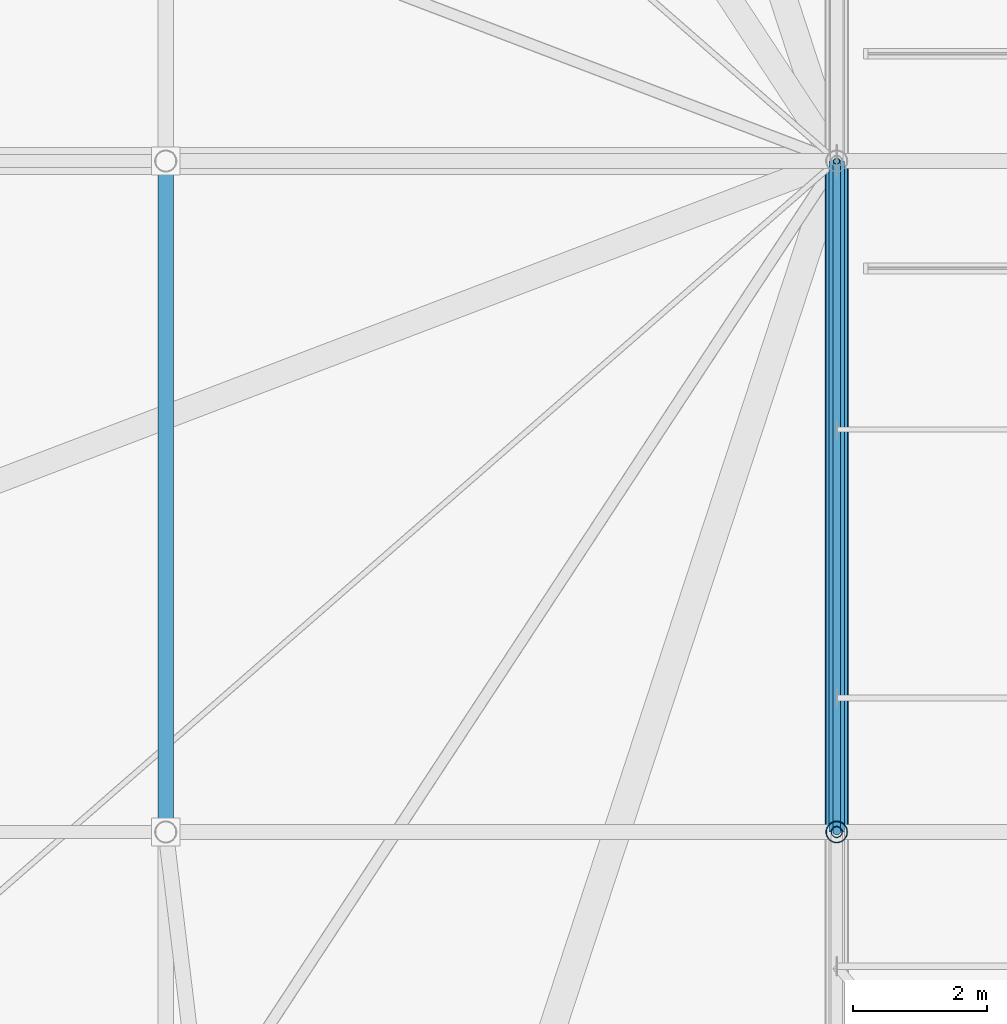
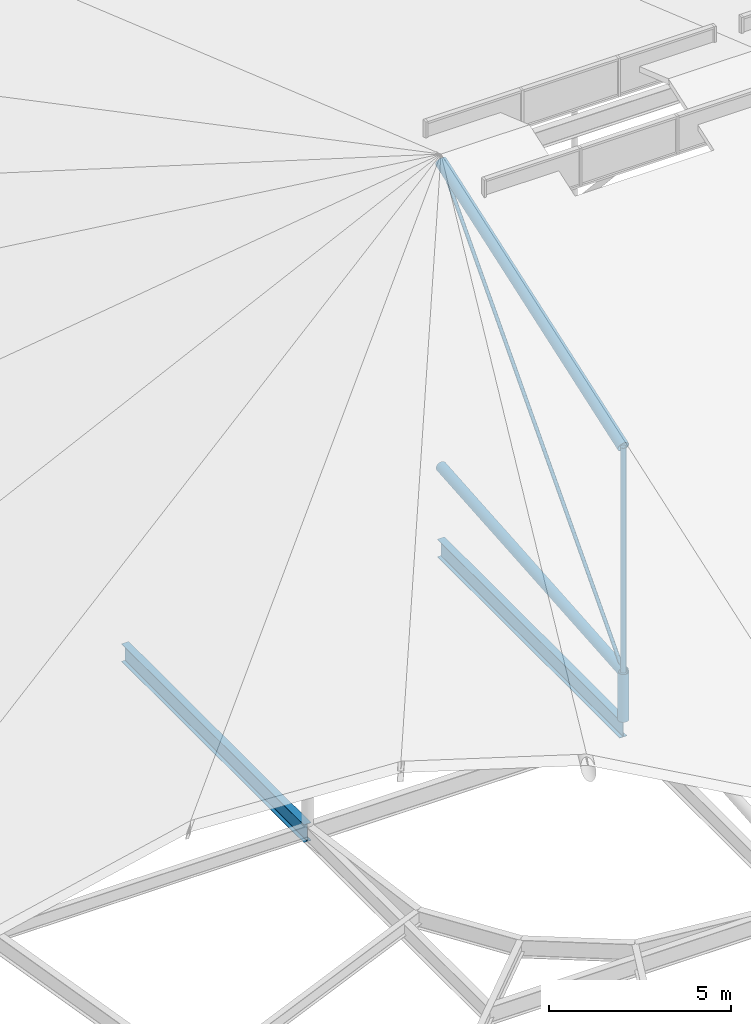
# One storey, part 12 of 93: 5 members, 2 beams.
"""IFC4 building model written with IfcOpenShell, lengths in metres."""

from ifc_helpers import new_model, si_unit, derived_unit, direction, frame, origin, origin_2d_with_axis, place, context, subcontext, project, spatial, hollow_circle, i_section, extrude, material, material_profile, profile_set, type_object, element, save


model = new_model("IFC4")

# Units and contexts
model_context = context("Model", 3, precision=1e-05, world=origin(), true_north=direction((0.0, 1.0)))
body_context = subcontext(model_context, "Body", "Model", "MODEL_VIEW")
ifc_project = project(units=[si_unit("LENGTHUNIT", "METRE"), si_unit("AREAUNIT", "SQUARE_METRE"), si_unit("VOLUMEUNIT", "CUBIC_METRE"), si_unit("PLANEANGLEUNIT", "RADIAN"), si_unit("MASSUNIT", "GRAM", prefix="KILO"), derived_unit("THERMALTRANSMITTANCEUNIT", [(si_unit("POWERUNIT", "WATT"), 1), (si_unit("LENGTHUNIT", "METRE"), -2), (si_unit("THERMODYNAMICTEMPERATUREUNIT", "KELVIN"), -1)])], contexts=[model_context])

# Site, building, storey
site_placement = place(None, origin())
site = spatial("IfcSite", under=ifc_project, at=site_placement, CompositionType="ELEMENT")
building_placement = place(site_placement, origin())
building = spatial("IfcBuilding", under=site, at=building_placement, Name="Cinnabar Yard Market Hall", CompositionType="ELEMENT")
storey_placement = place(building_placement, frame((0.0, 0.0, 23.800048828125)))
storey = spatial("IfcBuildingStorey", under=building, at=storey_placement, Name="ROOF", CompositionType="ELEMENT", Elevation=23.800048828125)

# Beams
ifc_material_1 = material(Name="Steel Grade 300 (300 MPa)", Category="steel")
ifc_material_profile_1 = material_profile(ifc_material_1, i_section(OverallWidth=0.22802734375, OverallDepth=0.60205078125, WebThickness=0.010498046875, FlangeThickness=0.014892578125, FilletRadius=0.013916015625, at=origin_2d_with_axis()), Name="610UB101")
ifc_profile_set_1 = profile_set([ifc_material_profile_1], Name="Steel Grade 300 (300 MPa)")
beam_type = type_object("IfcBeamType", Name="BM-B02", PredefinedType="BEAM", material=ifc_profile_set_1)
for number, where, z_axis, x_axis, name in (
    (1, (76.0, 34.0, -9.700927734375), (0.0, 1.0, 0.0), (-1.0, 0.0, 0.0), "Hall Transverse Tie Girder 00413"),
    (2, (86.0, 34.0, -9.700927734375), (0.0, 1.0, 0.0), (-1.0, 0.0, 0.0), "Hall Transverse Tie Girder 00417"),
):
    element("IfcBeam", number, at=place(storey_placement, frame(where, z_axis=z_axis, x_axis=x_axis)), inside=storey, type_object=beam_type, Name=name, PredefinedType="BEAM", context=body_context, shape_type="SweptSolid", body=[
        extrude(i_section(OverallWidth=0.22802734375, OverallDepth=0.60205078125, WebThickness=0.010498046875, FlangeThickness=0.014892578125, FilletRadius=0.013916015625, at=origin_2d_with_axis()), origin(), (0.0, 0.0, 1.0), 10.0),
    ])

# Members
ifc_material_2 = material(Name="Cold-formed steel C350L0", Category="steel")
ifc_material_profile_2 = material_profile(ifc_material_2, hollow_circle(Radius=0.161865234375, WallThickness=0.009521484375, at=origin_2d_with_axis()), Name="323.9x9.5CHS")
ifc_profile_set_2 = profile_set([ifc_material_profile_2], Name="Cold-formed steel C350L0")
member_type_1 = type_object("IfcMemberType", Name="MB-BC01", PredefinedType="CHORD", material=ifc_profile_set_2)
member_1_placement = place(storey_placement, frame((86.0, 34.0, -7.800048828125), z_axis=(0.0, 0.99681489162, 0.07975005859), x_axis=(-1.0, 0.0, 0.0)))
element("IfcMember", 3, at=member_1_placement, inside=storey, type_object=member_type_1, Name="Hall Truss 86 Bottom Chord 3", PredefinedType="CHORD", context=body_context, shape_type="SweptSolid", body=[
    extrude(hollow_circle(Radius=0.161865234375, WallThickness=0.009521484375, at=origin_2d_with_axis()), origin(), (0.0, 0.0, 1.0), 10.031982421875),
])
ifc_material_profile_3 = material_profile(ifc_material_2, hollow_circle(Radius=0.05712890625, WallThickness=0.006103515625, at=origin_2d_with_axis()), Name="114.3x6.0CHS")
ifc_profile_set_3 = profile_set([ifc_material_profile_3], Name="Cold-formed steel C350L0")
member_type_2 = type_object("IfcMemberType", Name="MB-DG03", PredefinedType="BRACE", material=ifc_profile_set_3)
member_2_placement = place(storey_placement, frame((86.0, 34.0, -7.800048828125), z_axis=(0.0, 0.672672793996, 0.739940073396), x_axis=(-1.0, 0.0, 0.0)))
element("IfcMember", 4, at=member_2_placement, inside=storey, type_object=member_type_2, Name="Hall Truss 86 Diagonal 3", PredefinedType="BRACE", context=body_context, shape_type="SweptSolid", body=[
    extrude(hollow_circle(Radius=0.05712890625, WallThickness=0.006103515625, at=origin_2d_with_axis()), origin(), (0.0, 0.0, 1.0), 14.865966796875),
])
ifc_material_3 = material(Name="Spotted-gum glulam-clad steel Grade 350 (350 MPa)", Category="steel")
ifc_material_profile_4 = material_profile(ifc_material_3, hollow_circle(Radius=0.161865234375, WallThickness=0.009521484375, at=origin_2d_with_axis()), Name="323.9x9.5CHS")
ifc_profile_set_4 = profile_set([ifc_material_profile_4], Name="Spotted-gum glulam-clad steel Grade 350 (350 MPa)")
member_type_3 = type_object("IfcMemberType", Name="MB-ST01", PredefinedType="STRUT", material=ifc_profile_set_4)
member_3_placement = place(storey_placement, frame((86.0, 34.0, -9.400146484375), z_axis=(0.0, 0.0, 1.0), x_axis=(1.0, 0.0, 0.0)))
element("IfcMember", 5, at=member_3_placement, inside=storey, type_object=member_type_3, Name="Truss Bearing Post 86-34", PredefinedType="STRUT", context=body_context, shape_type="SweptSolid", body=[
    extrude(hollow_circle(Radius=0.161865234375, WallThickness=0.009521484375, at=origin_2d_with_axis()), origin(), (0.0, 0.0, 1.0), 1.60009765625),
])
ifc_material_profile_5 = material_profile(ifc_material_2, hollow_circle(Radius=0.177734375, WallThickness=0.0126953125, at=origin_2d_with_axis()), Name="355.6x12.7CHS")
ifc_profile_set_5 = profile_set([ifc_material_profile_5], Name="Cold-formed steel C350L0")
member_type_4 = type_object("IfcMemberType", Name="MB-TC01", PredefinedType="CHORD", material=ifc_profile_set_5)
member_4_placement = place(storey_placement, frame((86.0, 34.0, -0.28076171875), z_axis=(0.0, 0.944424919483, 0.328727199147), x_axis=(-1.0, 0.0, 0.0)))
element("IfcMember", 6, at=member_4_placement, inside=storey, type_object=member_type_4, Name="Hall Truss 86 Top Chord 3", PredefinedType="CHORD", context=body_context, shape_type="SweptSolid", body=[
    extrude(hollow_circle(Radius=0.177734375, WallThickness=0.0126953125, at=origin_2d_with_axis()), origin(), (0.0, 0.0, 1.0), 10.58837890625),
])
ifc_material_profile_6 = material_profile(ifc_material_2, hollow_circle(Radius=0.084228515625, WallThickness=0.00634765625, at=origin_2d_with_axis()), Name="168.3x6.4CHS")
ifc_profile_set_6 = profile_set([ifc_material_profile_6], Name="Cold-formed steel C350L0")
member_type_5 = type_object("IfcMemberType", Name="MB-WB01", PredefinedType="STRUT", material=ifc_profile_set_6)
member_5_placement = place(storey_placement, frame((86.0, 34.0, -7.800048828125), z_axis=(0.0, 0.0, 1.0), x_axis=(1.0, 0.0, 0.0)))
element("IfcMember", 7, at=member_5_placement, inside=storey, type_object=member_type_5, Name="Hall Truss 86 Post 2", PredefinedType="STRUT", context=body_context, shape_type="SweptSolid", body=[
    extrude(hollow_circle(Radius=0.084228515625, WallThickness=0.00634765625, at=origin_2d_with_axis()), origin(), (0.0, 0.0, 1.0), 7.519287109375),
])

save(model, "model.ifc")
